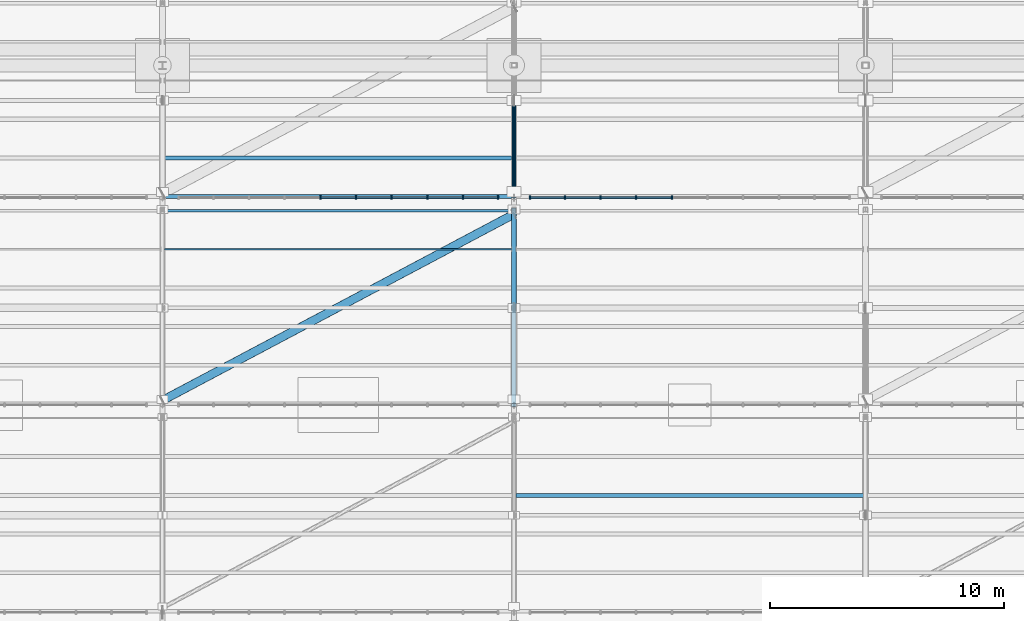
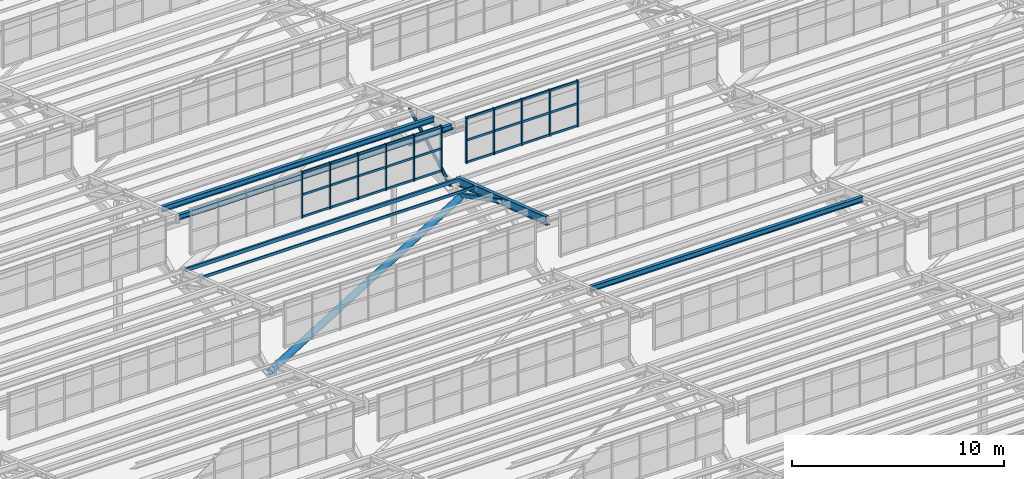
# One storey, part 101 of 285: 42 members, 6 beams, 2 elements without a shape of their own.
"""IFC4 building model written with IfcOpenShell, lengths in metres."""

from ifc_helpers import new_model, si_unit, direction, frame, origin, origin_2d, place, context, subcontext, project, spatial, rectangle, hollow_rectangle, hollow_circle, i_section, extrude, material, material_profile, profile_set, type_object, element, aggregate, save


model = new_model("IFC4")

# Units and contexts
model_context = context("Model", 3, precision=1e-05, world=origin(), true_north=direction((0.0, 1.0)))
body_context = subcontext(model_context, "Body", "Model", "MODEL_VIEW")
ifc_project = project(units=[si_unit("LENGTHUNIT", "METRE"), si_unit("AREAUNIT", "SQUARE_METRE"), si_unit("VOLUMEUNIT", "CUBIC_METRE"), si_unit("PLANEANGLEUNIT", "RADIAN"), si_unit("MASSUNIT", "GRAM", prefix="KILO")], contexts=[model_context])

# Site, building, storey
site_placement = place(None, origin())
site = spatial("IfcSite", under=ifc_project, at=site_placement, CompositionType="ELEMENT")
building_placement = place(site_placement, origin())
building = spatial("IfcBuilding", under=site, at=building_placement, Name="Solanera Park Tramway Depot", CompositionType="ELEMENT")
storey_placement = place(building_placement, origin())
storey = spatial("IfcBuildingStorey", under=building, at=storey_placement, Name="L00", CompositionType="ELEMENT", Elevation=0.0)

# Curtain wall, members
ifc_material_1 = material(Name="Bronze-anodised thermally broken aluminium curtain wall", Category="aluminium")
curtain_wall_type = type_object("IfcCurtainWallType", Name="Sawtooth Clerestory Monitor Curtain Wall", PredefinedType="NOTDEFINED", material=ifc_material_1)
curtain_wall_1_placement = place(storey_placement, origin())
curtain_wall_1 = element("IfcCurtainWall", 1, at=curtain_wall_1_placement, inside=storey, type_object=curtain_wall_type, Name="L00 Sawtooth Clerestory Monitor Curtain Wall #049", PredefinedType="NOTDEFINED")
ifc_material_2 = material(Name="Bronze-anodised structural aluminium 6063-T6", Category="aluminium")
ifc_material_profile_1 = material_profile(ifc_material_2, rectangle(XDim=0.06494140625, YDim=0.14990234375, at=origin_2d()), Name="Curtain Wall Mullion 65x150")
ifc_profile_set_1 = profile_set([ifc_material_profile_1], Name="Bronze-anodised structural aluminium 6063-T6")
member_type_1 = type_object("IfcMemberType", Name="Curtain Wall Mullion 65x150", PredefinedType="MULLION", material=ifc_profile_set_1)
member_1_placement = place(storey_placement, frame((96.739013671875, 108.85009765625, 7.75), z_axis=(0.0, 0.0, 1.0), x_axis=(1.0, 0.0, 0.0)))
member_1 = element("IfcMember", 2, at=member_1_placement, type_object=member_type_1, Name="CW-L00-049 Mullion 5", PredefinedType="MULLION", context=body_context, shape_type="SweptSolid", body=[
    extrude(rectangle(XDim=0.06494140625, YDim=0.14990234375, at=origin_2d()), origin(), (0.0, 0.0, 1.0), 2.6611328125),
])
member_2_placement = place(storey_placement, frame((98.260986328125, 108.85009765625, 7.75), z_axis=(0.0, 0.0, 1.0), x_axis=(1.0, 0.0, 0.0)))
member_2 = element("IfcMember", 3, at=member_2_placement, type_object=member_type_1, Name="CW-L00-049 Mullion 6", PredefinedType="MULLION", context=body_context, shape_type="SweptSolid", body=[
    extrude(rectangle(XDim=0.06494140625, YDim=0.14990234375, at=origin_2d()), origin(), (0.0, 0.0, 1.0), 2.6611328125),
])
member_3_placement = place(storey_placement, frame((99.783203125, 108.85009765625, 7.75), z_axis=(0.0, 0.0, 1.0), x_axis=(1.0, 0.0, 0.0)))
member_3 = element("IfcMember", 4, at=member_3_placement, type_object=member_type_1, Name="CW-L00-049 Mullion 7", PredefinedType="MULLION", context=body_context, shape_type="SweptSolid", body=[
    extrude(rectangle(XDim=0.06494140625, YDim=0.14990234375, at=origin_2d()), origin(), (0.0, 0.0, 1.0), 2.6611328125),
])
member_4_placement = place(storey_placement, frame((101.3056640625, 108.85009765625, 7.75), z_axis=(0.0, 0.0, 1.0), x_axis=(1.0, 0.0, 0.0)))
member_4 = element("IfcMember", 5, at=member_4_placement, type_object=member_type_1, Name="CW-L00-049 Mullion 8", PredefinedType="MULLION", context=body_context, shape_type="SweptSolid", body=[
    extrude(rectangle(XDim=0.06494140625, YDim=0.14990234375, at=origin_2d()), origin(), (0.0, 0.0, 1.0), 2.6611328125),
])
member_5_placement = place(storey_placement, frame((102.827880859375, 108.85009765625, 7.75), z_axis=(0.0, 0.0, 1.0), x_axis=(1.0, 0.0, 0.0)))
member_5 = element("IfcMember", 6, at=member_5_placement, type_object=member_type_1, Name="CW-L00-049 Mullion 9", PredefinedType="MULLION", context=body_context, shape_type="SweptSolid", body=[
    extrude(rectangle(XDim=0.06494140625, YDim=0.14990234375, at=origin_2d()), origin(), (0.0, 0.0, 1.0), 2.6611328125),
])
member_6_placement = place(storey_placement, frame((104.3173828125, 108.85009765625, 7.75), z_axis=(0.0, 0.0, 1.0), x_axis=(1.0, 0.0, 0.0)))
member_6 = element("IfcMember", 7, at=member_6_placement, type_object=member_type_1, Name="CW-L00-049 Mullion 10", PredefinedType="MULLION", context=body_context, shape_type="SweptSolid", body=[
    extrude(rectangle(XDim=0.06494140625, YDim=0.14990234375, at=origin_2d()), origin(), (0.0, 0.0, 1.0), 2.6611328125),
])

curtain_wall_2_placement = place(storey_placement, origin())
curtain_wall_2 = element("IfcCurtainWall", 8, at=curtain_wall_2_placement, inside=storey, type_object=curtain_wall_type, Name="L00 Sawtooth Clerestory Monitor Curtain Wall #050", PredefinedType="NOTDEFINED")
member_7_placement = place(storey_placement, frame((105.6826171875, 108.85009765625, 7.75), z_axis=(0.0, 0.0, 1.0), x_axis=(1.0, 0.0, 0.0)))
member_7 = element("IfcMember", 9, at=member_7_placement, type_object=member_type_1, Name="CW-L00-050 Mullion 1", PredefinedType="MULLION", context=body_context, shape_type="SweptSolid", body=[
    extrude(rectangle(XDim=0.06494140625, YDim=0.14990234375, at=origin_2d()), origin(), (0.0, 0.0, 1.0), 2.6611328125),
])
member_8_placement = place(storey_placement, frame((107.172119140625, 108.85009765625, 7.75), z_axis=(0.0, 0.0, 1.0), x_axis=(1.0, 0.0, 0.0)))
member_8 = element("IfcMember", 10, at=member_8_placement, type_object=member_type_1, Name="CW-L00-050 Mullion 2", PredefinedType="MULLION", context=body_context, shape_type="SweptSolid", body=[
    extrude(rectangle(XDim=0.06494140625, YDim=0.14990234375, at=origin_2d()), origin(), (0.0, 0.0, 1.0), 2.6611328125),
])
member_9_placement = place(storey_placement, frame((108.6943359375, 108.85009765625, 7.75), z_axis=(0.0, 0.0, 1.0), x_axis=(1.0, 0.0, 0.0)))
member_9 = element("IfcMember", 11, at=member_9_placement, type_object=member_type_1, Name="CW-L00-050 Mullion 3", PredefinedType="MULLION", context=body_context, shape_type="SweptSolid", body=[
    extrude(rectangle(XDim=0.06494140625, YDim=0.14990234375, at=origin_2d()), origin(), (0.0, 0.0, 1.0), 2.6611328125),
])
member_10_placement = place(storey_placement, frame((110.216796875, 108.85009765625, 7.75), z_axis=(0.0, 0.0, 1.0), x_axis=(1.0, 0.0, 0.0)))
member_10 = element("IfcMember", 12, at=member_10_placement, type_object=member_type_1, Name="CW-L00-050 Mullion 4", PredefinedType="MULLION", context=body_context, shape_type="SweptSolid", body=[
    extrude(rectangle(XDim=0.06494140625, YDim=0.14990234375, at=origin_2d()), origin(), (0.0, 0.0, 1.0), 2.6611328125),
])
member_11_placement = place(storey_placement, frame((111.739013671875, 108.85009765625, 7.75), z_axis=(0.0, 0.0, 1.0), x_axis=(1.0, 0.0, 0.0)))
member_11 = element("IfcMember", 13, at=member_11_placement, type_object=member_type_1, Name="CW-L00-050 Mullion 5", PredefinedType="MULLION", context=body_context, shape_type="SweptSolid", body=[
    extrude(rectangle(XDim=0.06494140625, YDim=0.14990234375, at=origin_2d()), origin(), (0.0, 0.0, 1.0), 2.6611328125),
])

# Member
ifc_material_3 = material(Name="Bronze-anodised structural aluminium 6063-T6", Category="aluminium")
ifc_material_profile_2 = material_profile(ifc_material_3, rectangle(XDim=0.06494140625, YDim=0.1201171875, at=origin_2d()), Name="Curtain Wall Transom 65x120")
ifc_profile_set_2 = profile_set([ifc_material_profile_2], Name="Bronze-anodised structural aluminium 6063-T6")
member_type_2 = type_object("IfcMemberType", Name="Curtain Wall Transom 65x120", PredefinedType="USERDEFINED", material=ifc_profile_set_2)
member_12_placement = place(storey_placement, frame((96.766845703125, 108.85009765625, 7.81005859375), z_axis=(1.0, 0.0, 0.0), x_axis=(0.0, 1.0, 0.0)))
member_12 = element("IfcMember", 14, at=member_12_placement, type_object=member_type_2, Name="CW-L00-049 Transom R1.C5", ObjectType="TRANSOM", PredefinedType="USERDEFINED", context=body_context, shape_type="SweptSolid", body=[
    extrude(rectangle(XDim=0.06494140625, YDim=0.1201171875, at=origin_2d()), origin(), (0.0, 0.0, 1.0), 1.46630859375),
])

member_13_placement = place(storey_placement, frame((98.2890625, 108.85009765625, 7.81005859375), z_axis=(1.0, 0.0, 0.0), x_axis=(0.0, 1.0, 0.0)))
member_13 = element("IfcMember", 15, at=member_13_placement, type_object=member_type_2, Name="CW-L00-049 Transom R1.C6", ObjectType="TRANSOM", PredefinedType="USERDEFINED", context=body_context, shape_type="SweptSolid", body=[
    extrude(rectangle(XDim=0.06494140625, YDim=0.1201171875, at=origin_2d()), origin(), (0.0, 0.0, 1.0), 1.46630859375),
])

member_14_placement = place(storey_placement, frame((99.811279296875, 108.85009765625, 7.81005859375), z_axis=(1.0, 0.0, 0.0), x_axis=(0.0, 1.0, 0.0)))
member_14 = element("IfcMember", 16, at=member_14_placement, type_object=member_type_2, Name="CW-L00-049 Transom R1.C7", ObjectType="TRANSOM", PredefinedType="USERDEFINED", context=body_context, shape_type="SweptSolid", body=[
    extrude(rectangle(XDim=0.06494140625, YDim=0.1201171875, at=origin_2d()), origin(), (0.0, 0.0, 1.0), 1.46630859375),
])

member_15_placement = place(storey_placement, frame((101.33349609375, 108.85009765625, 7.81005859375), z_axis=(1.0, 0.0, 0.0), x_axis=(0.0, 1.0, 0.0)))
member_15 = element("IfcMember", 17, at=member_15_placement, type_object=member_type_2, Name="CW-L00-049 Transom R1.C8", ObjectType="TRANSOM", PredefinedType="USERDEFINED", context=body_context, shape_type="SweptSolid", body=[
    extrude(rectangle(XDim=0.06494140625, YDim=0.1201171875, at=origin_2d()), origin(), (0.0, 0.0, 1.0), 1.46630859375),
])

member_16_placement = place(storey_placement, frame((102.855712890625, 108.85009765625, 7.81005859375), z_axis=(1.0, 0.0, 0.0), x_axis=(0.0, 1.0, 0.0)))
member_16 = element("IfcMember", 18, at=member_16_placement, type_object=member_type_2, Name="CW-L00-049 Transom R1.C9", ObjectType="TRANSOM", PredefinedType="USERDEFINED", context=body_context, shape_type="SweptSolid", body=[
    extrude(rectangle(XDim=0.06494140625, YDim=0.1201171875, at=origin_2d()), origin(), (0.0, 0.0, 1.0), 1.433837890625),
])

member_17_placement = place(storey_placement, frame((96.766845703125, 108.85009765625, 9.08056640625), z_axis=(1.0, 0.0, 0.0), x_axis=(0.0, 1.0, 0.0)))
member_17 = element("IfcMember", 19, at=member_17_placement, type_object=member_type_2, Name="CW-L00-049 Transom R2.C5", ObjectType="TRANSOM", PredefinedType="USERDEFINED", context=body_context, shape_type="SweptSolid", body=[
    extrude(rectangle(XDim=0.06494140625, YDim=0.1201171875, at=origin_2d()), origin(), (0.0, 0.0, 1.0), 1.46630859375),
])

member_18_placement = place(storey_placement, frame((98.2890625, 108.85009765625, 9.08056640625), z_axis=(1.0, 0.0, 0.0), x_axis=(0.0, 1.0, 0.0)))
member_18 = element("IfcMember", 20, at=member_18_placement, type_object=member_type_2, Name="CW-L00-049 Transom R2.C6", ObjectType="TRANSOM", PredefinedType="USERDEFINED", context=body_context, shape_type="SweptSolid", body=[
    extrude(rectangle(XDim=0.06494140625, YDim=0.1201171875, at=origin_2d()), origin(), (0.0, 0.0, 1.0), 1.46630859375),
])

member_19_placement = place(storey_placement, frame((99.811279296875, 108.85009765625, 9.08056640625), z_axis=(1.0, 0.0, 0.0), x_axis=(0.0, 1.0, 0.0)))
member_19 = element("IfcMember", 21, at=member_19_placement, type_object=member_type_2, Name="CW-L00-049 Transom R2.C7", ObjectType="TRANSOM", PredefinedType="USERDEFINED", context=body_context, shape_type="SweptSolid", body=[
    extrude(rectangle(XDim=0.06494140625, YDim=0.1201171875, at=origin_2d()), origin(), (0.0, 0.0, 1.0), 1.46630859375),
])

member_20_placement = place(storey_placement, frame((101.33349609375, 108.85009765625, 9.08056640625), z_axis=(1.0, 0.0, 0.0), x_axis=(0.0, 1.0, 0.0)))
member_20 = element("IfcMember", 22, at=member_20_placement, type_object=member_type_2, Name="CW-L00-049 Transom R2.C8", ObjectType="TRANSOM", PredefinedType="USERDEFINED", context=body_context, shape_type="SweptSolid", body=[
    extrude(rectangle(XDim=0.06494140625, YDim=0.1201171875, at=origin_2d()), origin(), (0.0, 0.0, 1.0), 1.46630859375),
])

member_21_placement = place(storey_placement, frame((102.855712890625, 108.85009765625, 9.08056640625), z_axis=(1.0, 0.0, 0.0), x_axis=(0.0, 1.0, 0.0)))
member_21 = element("IfcMember", 23, at=member_21_placement, type_object=member_type_2, Name="CW-L00-049 Transom R2.C9", ObjectType="TRANSOM", PredefinedType="USERDEFINED", context=body_context, shape_type="SweptSolid", body=[
    extrude(rectangle(XDim=0.06494140625, YDim=0.1201171875, at=origin_2d()), origin(), (0.0, 0.0, 1.0), 1.433837890625),
])

member_22_placement = place(storey_placement, frame((96.766845703125, 108.85009765625, 10.351318359375), z_axis=(1.0, 0.0, 0.0), x_axis=(0.0, 1.0, 0.0)))
member_22 = element("IfcMember", 24, at=member_22_placement, type_object=member_type_2, Name="CW-L00-049 Transom R3.C5", ObjectType="TRANSOM", PredefinedType="USERDEFINED", context=body_context, shape_type="SweptSolid", body=[
    extrude(rectangle(XDim=0.06494140625, YDim=0.1201171875, at=origin_2d()), origin(), (0.0, 0.0, 1.0), 1.46630859375),
])

member_23_placement = place(storey_placement, frame((98.2890625, 108.85009765625, 10.351318359375), z_axis=(1.0, 0.0, 0.0), x_axis=(0.0, 1.0, 0.0)))
member_23 = element("IfcMember", 25, at=member_23_placement, type_object=member_type_2, Name="CW-L00-049 Transom R3.C6", ObjectType="TRANSOM", PredefinedType="USERDEFINED", context=body_context, shape_type="SweptSolid", body=[
    extrude(rectangle(XDim=0.06494140625, YDim=0.1201171875, at=origin_2d()), origin(), (0.0, 0.0, 1.0), 1.46630859375),
])

member_24_placement = place(storey_placement, frame((99.811279296875, 108.85009765625, 10.351318359375), z_axis=(1.0, 0.0, 0.0), x_axis=(0.0, 1.0, 0.0)))
member_24 = element("IfcMember", 26, at=member_24_placement, type_object=member_type_2, Name="CW-L00-049 Transom R3.C7", ObjectType="TRANSOM", PredefinedType="USERDEFINED", context=body_context, shape_type="SweptSolid", body=[
    extrude(rectangle(XDim=0.06494140625, YDim=0.1201171875, at=origin_2d()), origin(), (0.0, 0.0, 1.0), 1.46630859375),
])

member_25_placement = place(storey_placement, frame((101.33349609375, 108.85009765625, 10.351318359375), z_axis=(1.0, 0.0, 0.0), x_axis=(0.0, 1.0, 0.0)))
member_25 = element("IfcMember", 27, at=member_25_placement, type_object=member_type_2, Name="CW-L00-049 Transom R3.C8", ObjectType="TRANSOM", PredefinedType="USERDEFINED", context=body_context, shape_type="SweptSolid", body=[
    extrude(rectangle(XDim=0.06494140625, YDim=0.1201171875, at=origin_2d()), origin(), (0.0, 0.0, 1.0), 1.46630859375),
])

member_26_placement = place(storey_placement, frame((102.855712890625, 108.85009765625, 10.351318359375), z_axis=(1.0, 0.0, 0.0), x_axis=(0.0, 1.0, 0.0)))
member_26 = element("IfcMember", 28, at=member_26_placement, type_object=member_type_2, Name="CW-L00-049 Transom R3.C9", ObjectType="TRANSOM", PredefinedType="USERDEFINED", context=body_context, shape_type="SweptSolid", body=[
    extrude(rectangle(XDim=0.06494140625, YDim=0.1201171875, at=origin_2d()), origin(), (0.0, 0.0, 1.0), 1.433837890625),
])

aggregate(curtain_wall_1, [member_1, member_2, member_3, member_4, member_5, member_6, member_12, member_13, member_14, member_15, member_16, member_17, member_18, member_19, member_20, member_21, member_22, member_23, member_24, member_25, member_26])

member_27_placement = place(storey_placement, frame((105.71044921875, 108.85009765625, 7.81005859375), z_axis=(1.0, 0.0, 0.0), x_axis=(0.0, 1.0, 0.0)))
member_27 = element("IfcMember", 29, at=member_27_placement, type_object=member_type_2, Name="CW-L00-050 Transom R1.C1", ObjectType="TRANSOM", PredefinedType="USERDEFINED", context=body_context, shape_type="SweptSolid", body=[
    extrude(rectangle(XDim=0.06494140625, YDim=0.1201171875, at=origin_2d()), origin(), (0.0, 0.0, 1.0), 1.433837890625),
])

member_28_placement = place(storey_placement, frame((107.2001953125, 108.85009765625, 7.81005859375), z_axis=(1.0, 0.0, 0.0), x_axis=(0.0, 1.0, 0.0)))
member_28 = element("IfcMember", 30, at=member_28_placement, type_object=member_type_2, Name="CW-L00-050 Transom R1.C2", ObjectType="TRANSOM", PredefinedType="USERDEFINED", context=body_context, shape_type="SweptSolid", body=[
    extrude(rectangle(XDim=0.06494140625, YDim=0.1201171875, at=origin_2d()), origin(), (0.0, 0.0, 1.0), 1.46630859375),
])

member_29_placement = place(storey_placement, frame((108.722412109375, 108.85009765625, 7.81005859375), z_axis=(1.0, 0.0, 0.0), x_axis=(0.0, 1.0, 0.0)))
member_29 = element("IfcMember", 31, at=member_29_placement, type_object=member_type_2, Name="CW-L00-050 Transom R1.C3", ObjectType="TRANSOM", PredefinedType="USERDEFINED", context=body_context, shape_type="SweptSolid", body=[
    extrude(rectangle(XDim=0.06494140625, YDim=0.1201171875, at=origin_2d()), origin(), (0.0, 0.0, 1.0), 1.46630859375),
])

member_30_placement = place(storey_placement, frame((110.24462890625, 108.85009765625, 7.81005859375), z_axis=(1.0, 0.0, 0.0), x_axis=(0.0, 1.0, 0.0)))
member_30 = element("IfcMember", 32, at=member_30_placement, type_object=member_type_2, Name="CW-L00-050 Transom R1.C4", ObjectType="TRANSOM", PredefinedType="USERDEFINED", context=body_context, shape_type="SweptSolid", body=[
    extrude(rectangle(XDim=0.06494140625, YDim=0.1201171875, at=origin_2d()), origin(), (0.0, 0.0, 1.0), 1.46630859375),
])

member_31_placement = place(storey_placement, frame((105.71044921875, 108.85009765625, 9.08056640625), z_axis=(1.0, 0.0, 0.0), x_axis=(0.0, 1.0, 0.0)))
member_31 = element("IfcMember", 33, at=member_31_placement, type_object=member_type_2, Name="CW-L00-050 Transom R2.C1", ObjectType="TRANSOM", PredefinedType="USERDEFINED", context=body_context, shape_type="SweptSolid", body=[
    extrude(rectangle(XDim=0.06494140625, YDim=0.1201171875, at=origin_2d()), origin(), (0.0, 0.0, 1.0), 1.433837890625),
])

member_32_placement = place(storey_placement, frame((107.2001953125, 108.85009765625, 9.08056640625), z_axis=(1.0, 0.0, 0.0), x_axis=(0.0, 1.0, 0.0)))
member_32 = element("IfcMember", 34, at=member_32_placement, type_object=member_type_2, Name="CW-L00-050 Transom R2.C2", ObjectType="TRANSOM", PredefinedType="USERDEFINED", context=body_context, shape_type="SweptSolid", body=[
    extrude(rectangle(XDim=0.06494140625, YDim=0.1201171875, at=origin_2d()), origin(), (0.0, 0.0, 1.0), 1.46630859375),
])

member_33_placement = place(storey_placement, frame((108.722412109375, 108.85009765625, 9.08056640625), z_axis=(1.0, 0.0, 0.0), x_axis=(0.0, 1.0, 0.0)))
member_33 = element("IfcMember", 35, at=member_33_placement, type_object=member_type_2, Name="CW-L00-050 Transom R2.C3", ObjectType="TRANSOM", PredefinedType="USERDEFINED", context=body_context, shape_type="SweptSolid", body=[
    extrude(rectangle(XDim=0.06494140625, YDim=0.1201171875, at=origin_2d()), origin(), (0.0, 0.0, 1.0), 1.46630859375),
])

member_34_placement = place(storey_placement, frame((110.24462890625, 108.85009765625, 9.08056640625), z_axis=(1.0, 0.0, 0.0), x_axis=(0.0, 1.0, 0.0)))
member_34 = element("IfcMember", 36, at=member_34_placement, type_object=member_type_2, Name="CW-L00-050 Transom R2.C4", ObjectType="TRANSOM", PredefinedType="USERDEFINED", context=body_context, shape_type="SweptSolid", body=[
    extrude(rectangle(XDim=0.06494140625, YDim=0.1201171875, at=origin_2d()), origin(), (0.0, 0.0, 1.0), 1.46630859375),
])

member_35_placement = place(storey_placement, frame((105.71044921875, 108.85009765625, 10.351318359375), z_axis=(1.0, 0.0, 0.0), x_axis=(0.0, 1.0, 0.0)))
member_35 = element("IfcMember", 37, at=member_35_placement, type_object=member_type_2, Name="CW-L00-050 Transom R3.C1", ObjectType="TRANSOM", PredefinedType="USERDEFINED", context=body_context, shape_type="SweptSolid", body=[
    extrude(rectangle(XDim=0.06494140625, YDim=0.1201171875, at=origin_2d()), origin(), (0.0, 0.0, 1.0), 1.433837890625),
])

member_36_placement = place(storey_placement, frame((107.2001953125, 108.85009765625, 10.351318359375), z_axis=(1.0, 0.0, 0.0), x_axis=(0.0, 1.0, 0.0)))
member_36 = element("IfcMember", 38, at=member_36_placement, type_object=member_type_2, Name="CW-L00-050 Transom R3.C2", ObjectType="TRANSOM", PredefinedType="USERDEFINED", context=body_context, shape_type="SweptSolid", body=[
    extrude(rectangle(XDim=0.06494140625, YDim=0.1201171875, at=origin_2d()), origin(), (0.0, 0.0, 1.0), 1.46630859375),
])

member_37_placement = place(storey_placement, frame((108.722412109375, 108.85009765625, 10.351318359375), z_axis=(1.0, 0.0, 0.0), x_axis=(0.0, 1.0, 0.0)))
member_37 = element("IfcMember", 39, at=member_37_placement, type_object=member_type_2, Name="CW-L00-050 Transom R3.C3", ObjectType="TRANSOM", PredefinedType="USERDEFINED", context=body_context, shape_type="SweptSolid", body=[
    extrude(rectangle(XDim=0.06494140625, YDim=0.1201171875, at=origin_2d()), origin(), (0.0, 0.0, 1.0), 1.46630859375),
])

member_38_placement = place(storey_placement, frame((110.24462890625, 108.85009765625, 10.351318359375), z_axis=(1.0, 0.0, 0.0), x_axis=(0.0, 1.0, 0.0)))
member_38 = element("IfcMember", 40, at=member_38_placement, type_object=member_type_2, Name="CW-L00-050 Transom R3.C4", ObjectType="TRANSOM", PredefinedType="USERDEFINED", context=body_context, shape_type="SweptSolid", body=[
    extrude(rectangle(XDim=0.06494140625, YDim=0.1201171875, at=origin_2d()), origin(), (0.0, 0.0, 1.0), 1.46630859375),
])

aggregate(curtain_wall_2, [member_7, member_8, member_9, member_10, member_11, member_27, member_28, member_29, member_30, member_31, member_32, member_33, member_34, member_35, member_36, member_37, member_38])

ifc_material_4 = material(Name="Steel AS/NZS 1163 Grade C350L0", Category="steel")
ifc_material_profile_3 = material_profile(ifc_material_4, hollow_circle(Radius=0.084228515625, WallThickness=0.00634765625, at=origin_2d()), Name="168.3x6.4 CHS")
ifc_profile_set_3 = profile_set([ifc_material_profile_3], Name="Steel AS/NZS 1163 Grade C350L0")
member_type_3 = type_object("IfcMemberType", Name="Roof Gantry Compression Strut 168.3x6.4 CHS", PredefinedType="STRUT", material=ifc_profile_set_3)
member_39_placement = place(storey_placement, frame((105.0, 109.10009765625, 6.5), z_axis=(0.0, 0.877666599941, 0.479271675929), x_axis=(-1.0, 0.0, 0.0)))
element("IfcMember", 41, at=member_39_placement, inside=storey, type_object=member_type_3, Name="Sawtooth ROOF TRUSS Strut 168.3x6.4 CHS #0296", PredefinedType="STRUT", context=body_context, shape_type="SweptSolid", body=[
    extrude(hollow_circle(Radius=0.084228515625, WallThickness=0.00634765625, at=origin_2d()), origin(), (0.0, 0.0, 1.0), 4.443603515625),
])

# Beams
ifc_material_5 = material(Name="Steel AS/NZS 3679.1 Grade 350", Category="steel")
ifc_material_profile_4 = material_profile(ifc_material_5, i_section(OverallWidth=0.1904296875, OverallDepth=0.45751953125, WebThickness=0.009033203125, FlangeThickness=0.014404296875, at=origin_2d()), Name="460UB74.6")
ifc_profile_set_4 = profile_set([ifc_material_profile_4], Name="Steel AS/NZS 3679.1 Grade 350")
beam_type_1 = type_object("IfcBeamType", Name="Steel Beam 460UB74.6", PredefinedType="BEAM", material=ifc_profile_set_4)
beam_1_placement = place(storey_placement, frame((105.0, 100.0, 10.05615234375), z_axis=(0.0, 0.948322229475, -0.317308917435), x_axis=(-1.0, 0.0, 0.0)))
element("IfcBeam", 42, at=beam_1_placement, inside=storey, type_object=beam_type_1, Name="Sawtooth ROOF TRUSS Top Rafter 460UB74.6 B06-T8", PredefinedType="BEAM", context=body_context, shape_type="SweptSolid", body=[
    extrude(i_section(OverallWidth=0.1904296875, OverallDepth=0.45751953125, WebThickness=0.009033203125, FlangeThickness=0.014404296875, at=origin_2d()), origin(), (0.0, 0.0, 1.0), 8.80517578125),
])
ifc_material_6 = material(Name="Steel AS/NZS 1163 Grade C350L0", Category="steel")
ifc_material_profile_5 = material_profile(ifc_material_6, hollow_rectangle(XDim=0.050048828125, YDim=0.14990234375, WallThickness=0.0048828125, at=origin_2d()), Name="150x50x5.0 RHS")
ifc_profile_set_5 = profile_set([ifc_material_profile_5], Name="Steel AS/NZS 1163 Grade C350L0")
beam_type_2 = type_object("IfcBeamType", Name="Steel Joist Purlin 150x50x5.0 RHS", PredefinedType="JOIST", material=ifc_profile_set_5)
beam_2_placement = place(storey_placement, frame((90.080810546875, 106.64990234375, 7.998291015625), z_axis=(1.0, 0.0, 0.0), x_axis=(0.0, 1.0, 0.0)))
element("IfcBeam", 43, at=beam_2_placement, inside=storey, type_object=beam_type_2, Name="Sawtooth Roof Purlin 150x50x5.0 RHS B06.5", PredefinedType="JOIST", context=body_context, shape_type="SweptSolid", body=[
    extrude(hollow_rectangle(XDim=0.050048828125, YDim=0.14990234375, WallThickness=0.0048828125, at=origin_2d()), origin(), (0.0, 0.0, 1.0), 14.83203125),
])
ifc_material_7 = material(Name="Steel AS/NZS 1163 Grade C350L0", Category="steel")
ifc_material_profile_6 = material_profile(ifc_material_7, hollow_rectangle(XDim=0.10009765625, YDim=0.199951171875, WallThickness=0.006103515625, at=origin_2d()), Name="200x100x6.0 RHS")
ifc_profile_set_6 = profile_set([ifc_material_profile_6], Name="Steel AS/NZS 1163 Grade C350L0")
beam_type_3 = type_object("IfcBeamType", Name="Steel Joist Purlin 200x100x6.0 RHS", PredefinedType="JOIST", material=ifc_profile_set_6)
beam_3_placement = place(storey_placement, frame((90.080810546875, 108.300048828125, 7.412841796875), z_axis=(1.0, 0.0, 0.0), x_axis=(0.0, 1.0, 0.0)))
element("IfcBeam", 44, at=beam_3_placement, inside=storey, type_object=beam_type_3, Name="Sawtooth Roof Purlin 200x100x6.0 RHS B06.6", PredefinedType="JOIST", context=body_context, shape_type="SweptSolid", body=[
    extrude(hollow_rectangle(XDim=0.10009765625, YDim=0.199951171875, WallThickness=0.006103515625, at=origin_2d()), origin(), (0.0, 0.0, 1.0), 14.83203125),
])
ifc_material_8 = material(Name="Steel AS/NZS 3679.1 Grade 350", Category="steel")
ifc_material_profile_7 = material_profile(ifc_material_8, i_section(OverallWidth=0.1650390625, OverallDepth=0.3037109375, WebThickness=0.006103515625, FlangeThickness=0.01025390625, at=origin_2d()), Name="310UB40.4")
ifc_profile_set_7 = profile_set([ifc_material_profile_7], Name="Steel AS/NZS 3679.1 Grade 350")
beam_type_4 = type_object("IfcBeamType", Name="Steel Joist Purlin 310UB40.4", PredefinedType="JOIST", material=ifc_profile_set_7)
beam_4_placement = place(storey_placement, frame((90.087158203125, 108.89990234375, 10.110595703125), z_axis=(1.0, 0.0, 0.0), x_axis=(0.0, 1.0, 0.0)))
element("IfcBeam", 45, at=beam_4_placement, inside=storey, type_object=beam_type_4, Name="Sawtooth Roof Purlin 310UB40.4 B07.1", PredefinedType="JOIST", context=body_context, shape_type="SweptSolid", body=[
    extrude(i_section(OverallWidth=0.1650390625, OverallDepth=0.3037109375, WebThickness=0.006103515625, FlangeThickness=0.01025390625, at=origin_2d()), origin(), (0.0, 0.0, 1.0), 14.816162109375),
])
ifc_material_9 = material(Name="Steel AS/NZS 3679.1 Grade 350", Category="steel")
ifc_material_profile_8 = material_profile(ifc_material_9, i_section(OverallWidth=0.166015625, OverallDepth=0.30712890625, WebThickness=0.006591796875, FlangeThickness=0.01171875, at=origin_2d()), Name="310UB46.2")
ifc_profile_set_8 = profile_set([ifc_material_profile_8], Name="Steel AS/NZS 3679.1 Grade 350")
beam_type_5 = type_object("IfcBeamType", Name="Steel Joist Purlin 310UB46.2", PredefinedType="JOIST", material=ifc_profile_set_8)
beam_5_placement = place(storey_placement, frame((105.080810546875, 96.14990234375, 8.452392578125), z_axis=(1.0, 0.0, 0.0), x_axis=(0.0, 1.0, 0.0)))
element("IfcBeam", 46, at=beam_5_placement, inside=storey, type_object=beam_type_5, Name="Sawtooth Roof Purlin 310UB46.2 B05.4", PredefinedType="JOIST", context=body_context, shape_type="SweptSolid", body=[
    extrude(i_section(OverallWidth=0.166015625, OverallDepth=0.30712890625, WebThickness=0.006591796875, FlangeThickness=0.01171875, at=origin_2d()), origin(), (0.0, 0.0, 1.0), 14.83203125),
])
beam_6_placement = place(storey_placement, frame((90.087158203125, 110.550048828125, 9.556640625), z_axis=(1.0, 0.0, 0.0), x_axis=(0.0, 1.0, 0.0)))
element("IfcBeam", 47, at=beam_6_placement, inside=storey, type_object=beam_type_5, Name="Sawtooth Roof Purlin 310UB46.2 B07.2", PredefinedType="JOIST", context=body_context, shape_type="SweptSolid", body=[
    extrude(i_section(OverallWidth=0.166015625, OverallDepth=0.30712890625, WebThickness=0.006591796875, FlangeThickness=0.01171875, at=origin_2d()), origin(), (0.0, 0.0, 1.0), 14.816162109375),
])

# Members
ifc_material_10 = material(Name="Steel AS/NZS 1163 Grade C350L0", Category="steel")
ifc_material_profile_9 = material_profile(ifc_material_10, hollow_circle(Radius=0.05712890625, WallThickness=0.0048828125, at=origin_2d()), Name="114.3x4.8 CHS")
ifc_profile_set_9 = profile_set([ifc_material_profile_9], Name="Steel AS/NZS 1163 Grade C350L0")
member_type_4 = type_object("IfcMemberType", Name="Truss and Frame Brace 114.3x4.8 CHS", PredefinedType="BRACE", material=ifc_profile_set_9)
member_40_placement = place(storey_placement, frame((105.0, 113.0, 6.5), z_axis=(0.0, -0.762764662408, 0.646676170724), x_axis=(1.0, 0.0, 0.0)))
element("IfcMember", 48, at=member_40_placement, inside=storey, type_object=member_type_4, Name="Sawtooth ROOF TRUSS Web Brace 114.3x4.8 CHS #0294", PredefinedType="BRACE", context=body_context, shape_type="SweptSolid", body=[
    extrude(hollow_circle(Radius=0.05712890625, WallThickness=0.0048828125, at=origin_2d()), origin(), (0.0, 0.0, 1.0), 5.440673828125),
])
ifc_material_11 = material(Name="Steel AS/NZS 1163 Grade C350L0", Category="steel")
ifc_material_profile_10 = material_profile(ifc_material_11, hollow_rectangle(XDim=0.199951171875, YDim=0.199951171875, WallThickness=0.008056640625, at=origin_2d()), Name="200x200x8.0 SHS")
ifc_profile_set_10 = profile_set([ifc_material_profile_10], Name="Steel AS/NZS 1163 Grade C350L0")
member_type_5 = type_object("IfcMemberType", Name="Truss and Frame Brace 200x200x8.0 SHS", PredefinedType="BRACE", material=ifc_profile_set_10)
member_41_placement = place(storey_placement, frame((105.0, 108.35009765625, 6.5), z_axis=(0.0, -0.888651893443, 0.45858239421), x_axis=(1.0, 0.0, 0.0)))
element("IfcMember", 49, at=member_41_placement, inside=storey, type_object=member_type_5, Name="Sawtooth ROOF TRUSS Diagonal 200x200x8.0 SHS #0248", PredefinedType="BRACE", context=body_context, shape_type="SweptSolid", body=[
    extrude(hollow_rectangle(XDim=0.199951171875, YDim=0.199951171875, WallThickness=0.008056640625, at=origin_2d()), origin(), (0.0, 0.0, 1.0), 4.7265625),
])
ifc_material_12 = material(Name="Steel AS/NZS 1163 Grade C350L0", Category="steel")
ifc_material_profile_11 = material_profile(ifc_material_12, hollow_circle(Radius=0.177734375, WallThickness=0.0126953125, at=origin_2d()), Name="355.6x12.7 CHS")
ifc_profile_set_11 = profile_set([ifc_material_profile_11], Name="Steel AS/NZS 1163 Grade C350L0")
member_type_6 = type_object("IfcMemberType", Name="Truss and Frame Brace 355.6x12.7 CHS", PredefinedType="BRACE", material=ifc_profile_set_11)
member_42_placement = place(storey_placement, frame((90.001953125, 100.199951171875, 6.5), z_axis=(0.883523615038, 0.468386615598, 0.0), x_axis=(-0.468386615598, 0.883523615038, 0.0)))
element("IfcMember", 50, at=member_42_placement, inside=storey, type_object=member_type_6, Name="Roof Plane Cyclonic Brace 355.6x12.7 CHS #0268", PredefinedType="BRACE", context=body_context, shape_type="SweptSolid", body=[
    extrude(hollow_circle(Radius=0.177734375, WallThickness=0.0126953125, at=origin_2d()), origin(), (0.0, 0.0, 1.0), 16.97314453125),
])

save(model, "model.ifc")
